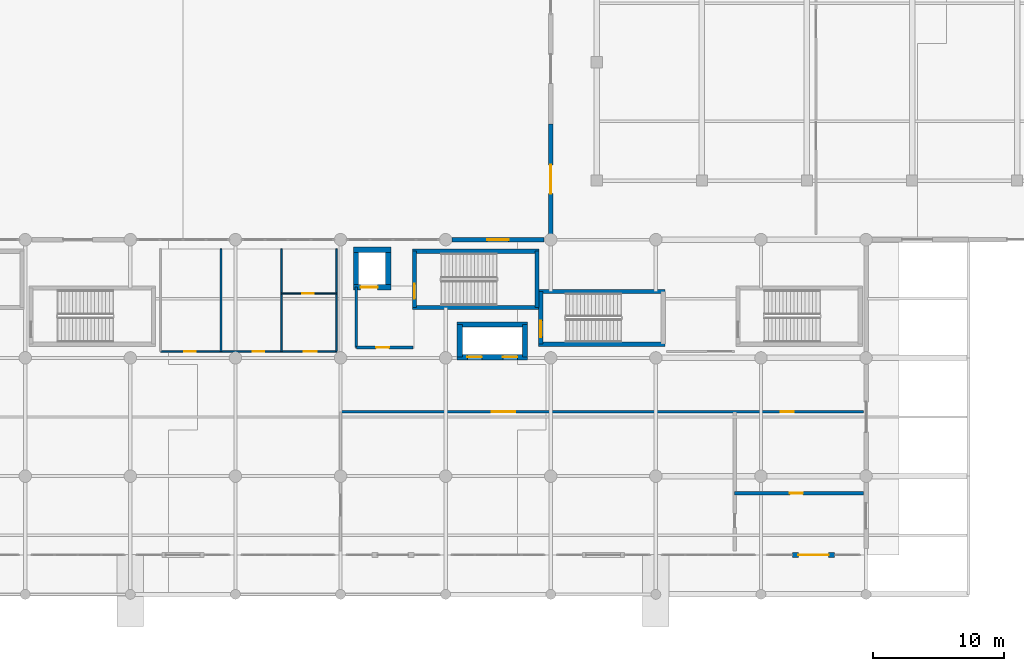
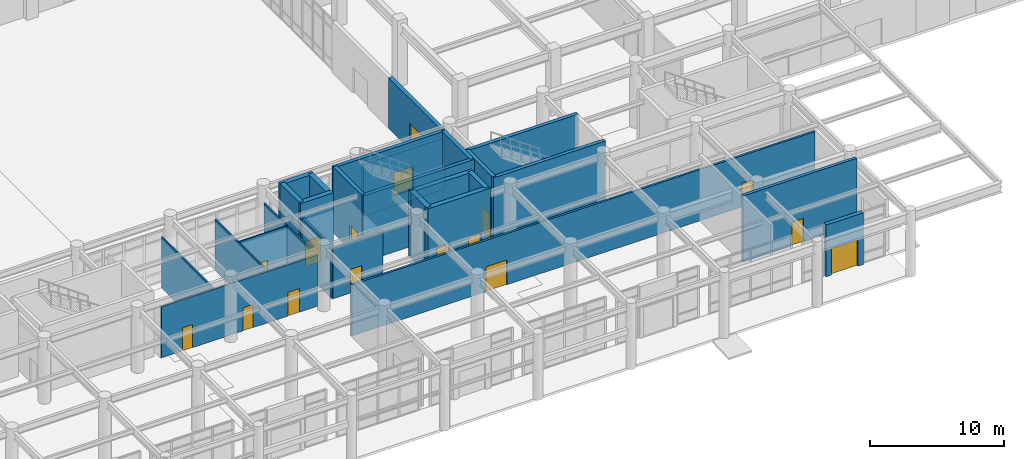
# One storey, part 31 of 49: 27 walls, 15 doors, 1 window, 16 openings.
"""IFC4 building model written with IfcOpenShell, lengths in metres."""

from ifc_helpers import new_model, si_unit, direction, frame, frame_2d, origin, place, context, subcontext, project, spatial, rectangle, extrude, material, layer, layer_set, type_object, element, fill, save


model = new_model("IFC4")

# Units and contexts
model_context = context("Model", 3, precision=1e-05, world=origin(), true_north=direction((0.0, 1.0)))
body_context = subcontext(model_context, "Body", "Model", "MODEL_VIEW")
ifc_project = project(units=[si_unit("LENGTHUNIT", "METRE"), si_unit("AREAUNIT", "SQUARE_METRE"), si_unit("VOLUMEUNIT", "CUBIC_METRE"), si_unit("PLANEANGLEUNIT", "RADIAN"), si_unit("MASSUNIT", "GRAM", prefix="KILO")], contexts=[model_context])

# Site, building, storey
site_placement = place(None, origin())
site = spatial("IfcSite", under=ifc_project, at=site_placement, CompositionType="ELEMENT")
building_placement = place(site_placement, origin())
building = spatial("IfcBuilding", under=site, at=building_placement, Name="Tlacozan Convention Centre", CompositionType="ELEMENT")
storey_placement = place(building_placement, origin())
storey = spatial("IfcBuildingStorey", under=building, at=storey_placement, Name="L00", CompositionType="ELEMENT", Elevation=0.0)

# Wall, opening, door
ifc_material_1 = material(Name="Volcanic Cantera Stone Masonry", Category="masonry")
ifc_layer_1 = layer(ifc_material_1, 0.35009765625)
ifc_layer_set_1 = layer_set([ifc_layer_1], Name="Volcanic Cantera Stone Masonry")
wall_type_1 = type_object("IfcWallType", Name="Cantera Cavity Facade Wall 350", PredefinedType="SOLIDWALL", material=ifc_layer_set_1)
wall_1_placement = place(storey_placement, frame((106.39990234375, 3.0, 0.0), z_axis=(0.0, 0.0, 1.0), x_axis=(1.0, 0.0, 0.0)))
wall_1 = element("IfcWall", 1, at=wall_1_placement, inside=storey, type_object=wall_type_1, Name="L00 Cantera Cavity Facade Wall 350 101", PredefinedType="SOLIDWALL", context=body_context, shape_type="SweptSolid", body=[
    extrude(rectangle(XDim=3.2001953125, YDim=0.35009765625, at=frame_2d((1.60009765625, 0.0))), origin(), (0.0, 0.0, 1.0), 4.699951171875),
])
opening_1_placement = place(wall_1_placement, frame((0.449951171875, 0.0, 0.0)))
opening_1 = element("IfcOpeningElement", 2, at=opening_1_placement, cuts=wall_1, Name="Opening EX-D1", PredefinedType="OPENING", context=body_context, shape_type="SweptSolid", body=[
    extrude(rectangle(XDim=2.300048828125, YDim=2.39990234375, at=frame_2d((1.14990234375, 1.199951171875))), frame((0.0, 0.18505859375, 0.0), z_axis=(0.0, -1.0, 0.0), x_axis=(1.0, 0.0, 0.0)), (0.0, 0.0, 1.0), 0.3701171875),
])
ifc_material_2 = material(Name="Thermally Broken Anodised Aluminium Door", Category="aluminium")
door_type_1 = type_object("IfcDoorType", Name="Pedestrian Final Exit Double Door 2300x2400", OperationType="DOUBLE_DOOR_SINGLE_SWING", PredefinedType="DOOR", material=ifc_material_2)
door_1_placement = place(opening_1_placement, frame((2.300048828125, 0.0, 0.0), z_axis=(0.0, 0.0, 1.0), x_axis=(-1.0, 0.0, 0.0)))
door_1 = element("IfcDoor", 3, at=door_1_placement, inside=storey, type_object=door_type_1, Name="Main Promenade Entrance E-13", OperationType="DOUBLE_DOOR_SINGLE_SWING", OverallHeight=2.39990234375, OverallWidth=2.300048828125, PredefinedType="DOOR", context=body_context, shape_type="SweptSolid", body=[
    extrude(rectangle(XDim=2.300048828125, YDim=2.39990234375, at=frame_2d((1.14990234375, 1.199951171875))), frame((0.0, 0.02490234375, 0.0), z_axis=(0.0, -1.0, 0.0), x_axis=(1.0, 0.0, 0.0)), (0.0, 0.0, 1.0), 0.050048828125),
])
fill(opening_1, door_1)

ifc_material_3 = material(Name="Concrete C40/50", Category="concrete")
ifc_layer_2 = layer(ifc_material_3, 0.260009765625)
ifc_layer_set_2 = layer_set([ifc_layer_2], Name="Concrete C40/50")
wall_type_2 = type_object("IfcWallType", Name="Compartment Rated Wall RC 260", PredefinedType="SOLIDWALL", material=ifc_layer_set_2)
wall_2_placement = place(storey_placement, frame((102.0, 7.699951171875, 0.0), z_axis=(0.0, 0.0, 1.0), x_axis=(1.0, 0.0, 0.0)))
wall_2 = element("IfcWall", 4, at=wall_2_placement, inside=storey, type_object=wall_type_2, Name="L00 Compartment Rated Wall RC 260 575", PredefinedType="SOLIDWALL", context=body_context, shape_type="SweptSolid", body=[
    extrude(rectangle(XDim=9.800048828125, YDim=0.260009765625, at=frame_2d((4.89990234375, 0.0))), origin(), (0.0, 0.0, 1.0), 6.0),
])
opening_2_placement = place(wall_2_placement, frame((4.199951171875, 0.0, 0.0)))
opening_2 = element("IfcOpeningElement", 5, at=opening_2_placement, cuts=wall_2, Name="Opening FD-01", PredefinedType="OPENING", context=body_context, shape_type="SweptSolid", body=[
    extrude(rectangle(XDim=1.0, YDim=2.14990234375, at=frame_2d((0.5, 1.074951171875))), frame((0.0, 0.139892578125, 0.0), z_axis=(0.0, -1.0, 0.0), x_axis=(1.0, 0.0, 0.0)), (0.0, 0.0, 1.0), 0.280029296875),
])
ifc_material_4 = material(Name="Fire-Rated Insulated Steel Door Leaf", Category="steel")
door_type_2 = type_object("IfcDoorType", Name="Fire Door Single 1000x2150 FD90", OperationType="NOTDEFINED", PredefinedType="DOOR", material=ifc_material_4)
door_2_placement = place(opening_2_placement, origin())
door_2 = element("IfcDoor", 6, at=door_2_placement, inside=storey, type_object=door_type_2, Name="Fire Command Room Secondary Door", OperationType="SINGLE_SWING_LEFT", OverallHeight=2.14990234375, OverallWidth=1.0, PredefinedType="DOOR", context=body_context, shape_type="SweptSolid", body=[
    extrude(rectangle(XDim=1.0, YDim=2.14990234375, at=frame_2d((0.5, 1.074951171875))), frame((0.0, 0.02490234375, 0.0), z_axis=(0.0, -1.0, 0.0), x_axis=(1.0, 0.0, 0.0)), (0.0, 0.0, 1.0), 0.050048828125),
])
fill(opening_2, door_2)

ifc_layer_3 = layer(ifc_material_3, 0.409912109375)
ifc_layer_set_3 = layer_set([ifc_layer_3], Name="Concrete C40/50")
wall_type_3 = type_object("IfcWallType", Name="Core Shear Wall RC 410", PredefinedType="SHEAR", material=ifc_layer_set_3)
wall_3_placement = place(storey_placement, frame((72.97509765625, 23.3798828125, 0.0), z_axis=(0.0, 0.0, 1.0), x_axis=(1.0, 0.0, 0.0)))
wall_3 = element("IfcWall", 7, at=wall_3_placement, inside=storey, type_object=wall_type_3, Name="L00 Core Shear Wall RC 410 105", PredefinedType="SHEAR", context=body_context, shape_type="SweptSolid", body=[
    extrude(rectangle(XDim=2.849853515625, YDim=0.409912109375, at=frame_2d((1.4248046875, 0.0))), origin(), (0.0, 0.0, 1.0), 6.0),
])
opening_3_placement = place(wall_3_placement, frame((0.550048828125, 0.0, 0.0)))
opening_3 = element("IfcOpeningElement", 8, at=opening_3_placement, cuts=wall_3, Name="Opening LD-02", PredefinedType="OPENING", context=body_context, shape_type="SweptSolid", body=[
    extrude(rectangle(XDim=1.300048828125, YDim=2.25, at=frame_2d((0.64990234375, 1.125))), frame((0.0, 0.21484375, 0.0), z_axis=(0.0, -1.0, 0.0), x_axis=(1.0, 0.0, 0.0)), (0.0, 0.0, 1.0), 0.429931640625),
])
ifc_material_5 = material(Name="Brushed Stainless Steel Sliding Landing Door", Category="steel")
door_type_3 = type_object("IfcDoorType", Name="Firefighting Lift Sliding Door 1300x2250", OperationType="DOUBLE_DOOR_SLIDING", PredefinedType="DOOR", material=ifc_material_5)
door_3_placement = place(opening_3_placement, origin())
door_3 = element("IfcDoor", 9, at=door_3_placement, inside=storey, type_object=door_type_3, Name="L00 Firefighting Lift FL-02 Landing Door", OperationType="DOUBLE_DOOR_SLIDING", OverallHeight=2.25, OverallWidth=1.300048828125, PredefinedType="DOOR", context=body_context, shape_type="SweptSolid", body=[
    extrude(rectangle(XDim=1.300048828125, YDim=2.25, at=frame_2d((0.64990234375, 1.125))), frame((0.0, 0.02490234375, 0.0), z_axis=(0.0, -1.0, 0.0), x_axis=(1.0, 0.0, 0.0)), (0.0, 0.0, 1.0), 0.050048828125),
])
fill(opening_3, door_3)

# Walls
wall_4_placement = place(storey_placement, frame((72.97509765625, 26.219970703125, 0.0), z_axis=(0.0, 0.0, 1.0), x_axis=(1.0, 0.0, 0.0)))
element("IfcWall", 10, at=wall_4_placement, inside=storey, type_object=wall_type_3, Name="L00 Core Shear Wall RC 410 106", PredefinedType="SHEAR", context=body_context, shape_type="SweptSolid", body=[
    extrude(rectangle(XDim=2.849853515625, YDim=0.409912109375, at=frame_2d((1.4248046875, 0.0))), origin(), (0.0, 0.0, 1.0), 6.0),
])
for number, where, z_axis, x_axis, name in (
    (11, (73.179931640625, 23.3798828125, 0.0), (0.0, 0.0, 1.0), (0.0, 1.0, 0.0), "L00 Core Shear Wall RC 410 107"),
    (12, (75.6201171875, 23.3798828125, 0.0), (0.0, 0.0, 1.0), (0.0, 1.0, 0.0), "L00 Core Shear Wall RC 410 108"),
):
    element("IfcWall", number, at=place(storey_placement, frame(where, z_axis=z_axis, x_axis=x_axis)), inside=storey, type_object=wall_type_3, Name=name, PredefinedType="SHEAR", context=body_context, shape_type="SweptSolid", body=[
        extrude(rectangle(XDim=2.840087890625, YDim=0.409912109375, at=frame_2d((1.419921875, 0.0))), origin(), (0.0, 0.0, 1.0), 6.0),
    ])

# Wall, openings, doors
wall_5_placement = place(storey_placement, frame((80.85498046875, 18.06005859375, 0.0), z_axis=(0.0, 0.0, 1.0), x_axis=(1.0, 0.0, 0.0)))
wall_5 = element("IfcWall", 13, at=wall_5_placement, inside=storey, type_object=wall_type_3, Name="L00 Core Shear Wall RC 410 109", PredefinedType="SHEAR", context=body_context, shape_type="SweptSolid", body=[
    extrude(rectangle(XDim=5.39013671875, YDim=0.409912109375, at=frame_2d((2.695068359375, 0.0))), origin(), (0.0, 0.0, 1.0), 6.0),
])
opening_4_placement = place(wall_5_placement, frame((0.794921875, 0.0, 0.0)))
opening_4 = element("IfcOpeningElement", 14, at=opening_4_placement, cuts=wall_5, Name="Opening LD-01", PredefinedType="OPENING", context=body_context, shape_type="SweptSolid", body=[
    extrude(rectangle(XDim=1.10009765625, YDim=2.199951171875, at=frame_2d((0.550048828125, 1.10009765625))), frame((0.0, 0.21484375, 0.0), z_axis=(0.0, -1.0, 0.0), x_axis=(1.0, 0.0, 0.0)), (0.0, 0.0, 1.0), 0.429931640625),
])
opening_5_placement = place(wall_5_placement, frame((3.4951171875, 0.0, 0.0)))
opening_5 = element("IfcOpeningElement", 15, at=opening_5_placement, cuts=wall_5, Name="Opening LD-01", PredefinedType="OPENING", context=body_context, shape_type="SweptSolid", body=[
    extrude(rectangle(XDim=1.10009765625, YDim=2.199951171875, at=frame_2d((0.550048828125, 1.10009765625))), frame((0.0, 0.21484375, 0.0), z_axis=(0.0, -1.0, 0.0), x_axis=(1.0, 0.0, 0.0)), (0.0, 0.0, 1.0), 0.429931640625),
])
door_type_4 = type_object("IfcDoorType", Name="Lift Sliding Landing Door 1100x2200", OperationType="DOUBLE_DOOR_SLIDING", PredefinedType="DOOR", material=ifc_material_5)
door_4_placement = place(opening_4_placement, origin())
door_4 = element("IfcDoor", 16, at=door_4_placement, inside=storey, type_object=door_type_4, Name="L00 Lift PL-03 Landing Door", OperationType="DOUBLE_DOOR_SLIDING", OverallHeight=2.199951171875, OverallWidth=1.10009765625, PredefinedType="DOOR", context=body_context, shape_type="SweptSolid", body=[
    extrude(rectangle(XDim=1.10009765625, YDim=2.199951171875, at=frame_2d((0.550048828125, 1.10009765625))), frame((0.0, 0.02490234375, 0.0), z_axis=(0.0, -1.0, 0.0), x_axis=(1.0, 0.0, 0.0)), (0.0, 0.0, 1.0), 0.050048828125),
])
fill(opening_4, door_4)
door_5_placement = place(opening_5_placement, origin())
door_5 = element("IfcDoor", 17, at=door_5_placement, inside=storey, type_object=door_type_4, Name="L00 Lift PL-04 Landing Door", OperationType="DOUBLE_DOOR_SLIDING", OverallHeight=2.199951171875, OverallWidth=1.10009765625, PredefinedType="DOOR", context=body_context, shape_type="SweptSolid", body=[
    extrude(rectangle(XDim=1.10009765625, YDim=2.199951171875, at=frame_2d((0.550048828125, 1.10009765625))), frame((0.0, 0.02490234375, 0.0), z_axis=(0.0, -1.0, 0.0), x_axis=(1.0, 0.0, 0.0)), (0.0, 0.0, 1.0), 0.050048828125),
])
fill(opening_5, door_5)

# Walls
wall_6_placement = place(storey_placement, frame((80.85498046875, 20.5400390625, 0.0), z_axis=(0.0, 0.0, 1.0), x_axis=(1.0, 0.0, 0.0)))
element("IfcWall", 18, at=wall_6_placement, inside=storey, type_object=wall_type_3, Name="L00 Core Shear Wall RC 410 110", PredefinedType="SHEAR", context=body_context, shape_type="SweptSolid", body=[
    extrude(rectangle(XDim=5.39013671875, YDim=0.409912109375, at=frame_2d((2.695068359375, 0.0))), origin(), (0.0, 0.0, 1.0), 6.0),
])
for number, where, z_axis, x_axis, name in (
    (19, (81.06005859375, 18.06005859375, 0.0), (0.0, 0.0, 1.0), (0.0, 1.0, 0.0), "L00 Core Shear Wall RC 410 111"),
    (20, (86.0400390625, 18.06005859375, 0.0), (0.0, 0.0, 1.0), (0.0, 1.0, 0.0), "L00 Core Shear Wall RC 410 112"),
):
    element("IfcWall", number, at=place(storey_placement, frame(where, z_axis=z_axis, x_axis=x_axis)), inside=storey, type_object=wall_type_3, Name=name, PredefinedType="SHEAR", context=body_context, shape_type="SweptSolid", body=[
        extrude(rectangle(XDim=2.47998046875, YDim=0.409912109375, at=frame_2d((1.239990234375, 0.0))), origin(), (0.0, 0.0, 1.0), 6.0),
    ])

# Wall, openings, doors
ifc_material_6 = material(Name="Fire-Rated Gypsum Stud Partition Assembly")
ifc_layer_4 = layer(ifc_material_6, 0.179931640625)
ifc_layer_set_4 = layer_set([ifc_layer_4], Name="Fire-Rated Gypsum Stud Partition Assembly")
wall_type_4 = type_object("IfcWallType", Name="Corridor Rated Partition 180", PredefinedType="PARTITIONING", material=ifc_layer_set_4)
wall_7_placement = place(storey_placement, frame((72.0, 13.89990234375, 0.0), z_axis=(0.0, 0.0, 1.0), x_axis=(1.0, 0.0, 0.0)))
wall_7 = element("IfcWall", 21, at=wall_7_placement, inside=storey, type_object=wall_type_4, Name="L00 Corridor Rated Partition 180 573", PredefinedType="PARTITIONING", context=body_context, shape_type="SweptSolid", body=[
    extrude(rectangle(XDim=39.800048828125, YDim=0.179931640625, at=frame_2d((19.89990234375, 0.0))), origin(), (0.0, 0.0, 1.0), 4.64990234375),
])
opening_6_placement = place(wall_7_placement, frame((11.5, 0.0, 0.0)))
opening_6 = element("IfcOpeningElement", 22, at=opening_6_placement, cuts=wall_7, Name="Opening FD-03", PredefinedType="OPENING", context=body_context, shape_type="SweptSolid", body=[
    extrude(rectangle(XDim=1.800048828125, YDim=2.25, at=frame_2d((0.89990234375, 1.125))), frame((0.0, 0.099853515625, 0.0), z_axis=(0.0, -1.0, 0.0), x_axis=(1.0, 0.0, 0.0)), (0.0, 0.0, 1.0), 0.199951171875),
])
opening_7_placement = place(wall_7_placement, frame((33.5, 0.0, 0.0)))
opening_7 = element("IfcOpeningElement", 23, at=opening_7_placement, cuts=wall_7, Name="Opening FD-01", PredefinedType="OPENING", context=body_context, shape_type="SweptSolid", body=[
    extrude(rectangle(XDim=1.0, YDim=2.14990234375, at=frame_2d((0.5, 1.074951171875))), frame((0.0, 0.099853515625, 0.0), z_axis=(0.0, -1.0, 0.0), x_axis=(1.0, 0.0, 0.0)), (0.0, 0.0, 1.0), 0.199951171875),
])
door_type_5 = type_object("IfcDoorType", Name="Fire Door Lobby Double 1800x2250 FD90", OperationType="DOUBLE_DOOR_SINGLE_SWING", PredefinedType="DOOR", material=ifc_material_4)
door_6_placement = place(opening_6_placement, origin())
door_6 = element("IfcDoor", 24, at=door_6_placement, inside=storey, type_object=door_type_5, Name="L00 Fire Door Lobby Double 1800x2250 FD90 159", OperationType="DOUBLE_DOOR_SINGLE_SWING", OverallHeight=2.25, OverallWidth=1.800048828125, PredefinedType="DOOR", context=body_context, shape_type="SweptSolid", body=[
    extrude(rectangle(XDim=1.800048828125, YDim=2.25, at=frame_2d((0.89990234375, 1.125))), frame((0.0, 0.02490234375, 0.0), z_axis=(0.0, -1.0, 0.0), x_axis=(1.0, 0.0, 0.0)), (0.0, 0.0, 1.0), 0.050048828125),
])
fill(opening_6, door_6)
door_7_placement = place(opening_7_placement, origin())
door_7 = element("IfcDoor", 25, at=door_7_placement, inside=storey, type_object=door_type_2, Name="L00 Fire Door Single 1000x2150 FD90 160", OperationType="SINGLE_SWING_LEFT", OverallHeight=2.14990234375, OverallWidth=1.0, PredefinedType="DOOR", context=body_context, shape_type="SweptSolid", body=[
    extrude(rectangle(XDim=1.0, YDim=2.14990234375, at=frame_2d((0.5, 1.074951171875))), frame((0.0, 0.02490234375, 0.0), z_axis=(0.0, -1.0, 0.0), x_axis=(1.0, 0.0, 0.0)), (0.0, 0.0, 1.0), 0.050048828125),
])
fill(opening_7, door_7)

# Wall, opening, window
ifc_layer_5 = layer(ifc_material_1, 0.330078125)
ifc_layer_set_5 = layer_set([ifc_layer_5], Name="Volcanic Cantera Stone Masonry")
wall_type_5 = type_object("IfcWallType", Name="Courtyard Cantera Cloister Wall 330", PredefinedType="SOLIDWALL", material=ifc_layer_set_5)
wall_8_placement = place(storey_placement, frame((80.5, 27.0, 0.0), z_axis=(0.0, 0.0, 1.0), x_axis=(1.0, 0.0, 0.0)))
wall_8 = element("IfcWall", 26, at=wall_8_placement, inside=storey, type_object=wall_type_5, Name="L00 Courtyard Cantera Cloister Wall 330 109", PredefinedType="SOLIDWALL", context=body_context, shape_type="SweptSolid", body=[
    extrude(rectangle(XDim=7.0, YDim=0.330078125, at=frame_2d((3.5, 0.0))), origin(), (0.0, 0.0, 1.0), 4.699951171875),
])
opening_8_placement = place(wall_8_placement, frame((2.64990234375, 0.0, 0.949951171875)))
opening_8 = element("IfcOpeningElement", 27, at=opening_8_placement, cuts=wall_8, Name="Opening WN-10", PredefinedType="OPENING", context=body_context, shape_type="SweptSolid", body=[
    extrude(rectangle(XDim=1.64990234375, YDim=2.10009765625, at=frame_2d((0.824951171875, 1.050048828125))), frame((0.0, 0.175048828125, 0.0), z_axis=(0.0, -1.0, 0.0), x_axis=(1.0, 0.0, 0.0)), (0.0, 0.0, 1.0), 0.35009765625),
])
ifc_material_7 = material(Name="Solar Control Double Low-E Argon Glazing", Category="glass")
window_type = type_object("IfcWindowType", Name="Courtyard Cloister Window 1650x2100", PartitioningType="SINGLE_PANEL", PredefinedType="WINDOW", material=ifc_material_7)
window_placement = place(opening_8_placement, origin())
window = element("IfcWindow", 28, at=window_placement, inside=storey, type_object=window_type, Name="L00 Courtyard Cloister Window 1650x2100 48", OverallHeight=2.10009765625, OverallWidth=1.64990234375, PartitioningType="SINGLE_PANEL", PredefinedType="WINDOW", context=body_context, shape_type="SweptSolid", body=[
    extrude(rectangle(XDim=1.64990234375, YDim=2.10009765625, at=frame_2d((0.824951171875, 1.050048828125))), frame((0.0, 0.030029296875, 0.0), z_axis=(0.0, -1.0, 0.0), x_axis=(1.0, 0.0, 0.0)), (0.0, 0.0, 1.0), 0.06005859375),
])
fill(opening_8, window)

# Wall, opening, door
wall_9_placement = place(storey_placement, frame((88.0, 27.39990234375, 0.0), z_axis=(0.0, 0.0, 1.0), x_axis=(0.0, 1.0, 0.0)))
wall_9 = element("IfcWall", 29, at=wall_9_placement, inside=storey, type_object=wall_type_5, Name="L00 Courtyard Cantera Cloister Wall 330 186", PredefinedType="SOLIDWALL", context=body_context, shape_type="SweptSolid", body=[
    extrude(rectangle(XDim=8.400146484375, YDim=0.330078125, at=frame_2d((4.2001953125, 0.0))), origin(), (0.0, 0.0, 1.0), 4.60009765625),
])
opening_9_placement = place(wall_9_placement, frame((3.10009765625, 0.0, 0.0)))
opening_9 = element("IfcOpeningElement", 30, at=opening_9_placement, cuts=wall_9, Name="Opening EX-D4", PredefinedType="OPENING", context=body_context, shape_type="SweptSolid", body=[
    extrude(rectangle(XDim=2.199951171875, YDim=2.35009765625, at=frame_2d((1.10009765625, 1.175048828125))), frame((0.0, 0.175048828125, 0.0), z_axis=(0.0, -1.0, 0.0), x_axis=(1.0, 0.0, 0.0)), (0.0, 0.0, 1.0), 0.35009765625),
])
door_type_6 = type_object("IfcDoorType", Name="Courtyard Cloister Exit Door 2200x2350", OperationType="DOUBLE_DOOR_SINGLE_SWING", PredefinedType="DOOR", material=ifc_material_2)
door_8_placement = place(opening_9_placement, origin())
door_8 = element("IfcDoor", 31, at=door_8_placement, inside=storey, type_object=door_type_6, Name="Final Pedestrian Exit EX-32", OperationType="DOUBLE_DOOR_SINGLE_SWING", OverallHeight=2.35009765625, OverallWidth=2.199951171875, PredefinedType="DOOR", context=body_context, shape_type="SweptSolid", body=[
    extrude(rectangle(XDim=2.199951171875, YDim=2.35009765625, at=frame_2d((1.10009765625, 1.175048828125))), frame((0.0, 0.02490234375, 0.0), z_axis=(0.0, -1.0, 0.0), x_axis=(1.0, 0.0, 0.0)), (0.0, 0.0, 1.0), 0.050048828125),
])
fill(opening_9, door_8)

ifc_layer_6 = layer(ifc_material_6, 0.2099609375)
ifc_layer_set_6 = layer_set([ifc_layer_6], Name="Fire-Rated Gypsum Stud Partition Assembly")
wall_type_6 = type_object("IfcWallType", Name="Firefighting Lobby Rated Wall 210", PredefinedType="PARTITIONING", material=ifc_layer_set_6)
wall_10_placement = place(storey_placement, frame((73.199951171875, 18.800048828125, 0.0), z_axis=(0.0, 0.0, 1.0), x_axis=(1.0, 0.0, 0.0)))
wall_10 = element("IfcWall", 32, at=wall_10_placement, inside=storey, type_object=wall_type_6, Name="L00 Firefighting Lobby Rated Wall 210 103", PredefinedType="PARTITIONING", context=body_context, shape_type="SweptSolid", body=[
    extrude(rectangle(XDim=4.300048828125, YDim=0.2099609375, at=frame_2d((2.14990234375, 0.0))), origin(), (0.0, 0.0, 1.0), 4.64990234375),
])
opening_10_placement = place(wall_10_placement, frame((1.5, 0.0, 0.0)))
opening_10 = element("IfcOpeningElement", 33, at=opening_10_placement, cuts=wall_10, Name="Opening FD-01", PredefinedType="OPENING", context=body_context, shape_type="SweptSolid", body=[
    extrude(rectangle(XDim=1.0, YDim=2.14990234375, at=frame_2d((0.5, 1.074951171875))), frame((0.0, 0.114990234375, 0.0), z_axis=(0.0, -1.0, 0.0), x_axis=(1.0, 0.0, 0.0)), (0.0, 0.0, 1.0), 0.22998046875),
])
door_9_placement = place(opening_10_placement, origin())
door_9 = element("IfcDoor", 34, at=door_9_placement, inside=storey, type_object=door_type_2, Name="L00 CORE-2 Firefighting Lobby Entry Door", OperationType="SINGLE_SWING_RIGHT", OverallHeight=2.14990234375, OverallWidth=1.0, PredefinedType="DOOR", context=body_context, shape_type="SweptSolid", body=[
    extrude(rectangle(XDim=1.0, YDim=2.14990234375, at=frame_2d((0.5, 1.074951171875))), frame((0.0, 0.02490234375, 0.0), z_axis=(0.0, -1.0, 0.0), x_axis=(1.0, 0.0, 0.0)), (0.0, 0.0, 1.0), 0.050048828125),
])
fill(opening_10, door_9)

# Wall
wall_11_placement = place(storey_placement, frame((73.199951171875, 18.800048828125, 0.0), z_axis=(0.0, 0.0, 1.0), x_axis=(0.0, 1.0, 0.0)))
element("IfcWall", 35, at=wall_11_placement, inside=storey, type_object=wall_type_6, Name="L00 Firefighting Lobby Rated Wall 210 104", PredefinedType="PARTITIONING", context=body_context, shape_type="SweptSolid", body=[
    extrude(rectangle(XDim=4.599853515625, YDim=0.2099609375, at=frame_2d((2.2998046875, 0.0))), origin(), (0.0, 0.0, 1.0), 4.64990234375),
])

# Wall, openings, doors
ifc_material_8 = material(Name="Acoustic Double-Stud Partition Assembly")
ifc_layer_7 = layer(ifc_material_8, 0.1201171875)
ifc_layer_set_7 = layer_set([ifc_layer_7], Name="Acoustic Double-Stud Partition Assembly")
wall_type_7 = type_object("IfcWallType", Name="Sanitary Tile Partition 120", PredefinedType="PARTITIONING", material=ifc_layer_set_7)
wall_12_placement = place(storey_placement, frame((58.300048828125, 18.5, 0.0), z_axis=(0.0, 0.0, 1.0), x_axis=(1.0, 0.0, 0.0)))
wall_12 = element("IfcWall", 36, at=wall_12_placement, inside=storey, type_object=wall_type_7, Name="L00 Sanitary Tile Partition 120 531", PredefinedType="PARTITIONING", context=body_context, shape_type="SweptSolid", body=[
    extrude(rectangle(XDim=13.39990234375, YDim=0.1201171875, at=frame_2d((6.699951171875, 0.0))), origin(), (0.0, 0.0, 1.0), 4.64990234375),
])
opening_11_placement = place(wall_12_placement, frame((1.800048828125, 0.0, 0.0)))
opening_11 = element("IfcOpeningElement", 37, at=opening_11_placement, cuts=wall_12, Name="Opening ID-05", PredefinedType="OPENING", context=body_context, shape_type="SweptSolid", body=[
    extrude(rectangle(XDim=0.8798828125, YDim=2.10009765625, at=frame_2d((0.43994140625, 1.050048828125))), frame((0.0, 0.070068359375, 0.0), z_axis=(0.0, -1.0, 0.0), x_axis=(1.0, 0.0, 0.0)), (0.0, 0.0, 1.0), 0.14013671875),
])
opening_12_placement = place(wall_12_placement, frame((7.0, 0.0, 0.0)))
opening_12 = element("IfcOpeningElement", 38, at=opening_12_placement, cuts=wall_12, Name="Opening ID-05", PredefinedType="OPENING", context=body_context, shape_type="SweptSolid", body=[
    extrude(rectangle(XDim=0.8798828125, YDim=2.10009765625, at=frame_2d((0.43994140625, 1.050048828125))), frame((0.0, 0.070068359375, 0.0), z_axis=(0.0, -1.0, 0.0), x_axis=(1.0, 0.0, 0.0)), (0.0, 0.0, 1.0), 0.14013671875),
])
opening_13_placement = place(wall_12_placement, frame((10.89990234375, 0.0, 0.0)))
opening_13 = element("IfcOpeningElement", 39, at=opening_13_placement, cuts=wall_12, Name="Opening ID-04", PredefinedType="OPENING", context=body_context, shape_type="SweptSolid", body=[
    extrude(rectangle(XDim=0.97998046875, YDim=2.14990234375, at=frame_2d((0.489990234375, 1.074951171875))), frame((0.0, 0.070068359375, 0.0), z_axis=(0.0, -1.0, 0.0), x_axis=(1.0, 0.0, 0.0)), (0.0, 0.0, 1.0), 0.14013671875),
])
ifc_material_9 = material(Name="Acoustic Solid-Core Oak Veneer Door")
door_type_7 = type_object("IfcDoorType", Name="Accessible Restroom Door 980x2150", OperationType="NOTDEFINED", PredefinedType="DOOR", material=ifc_material_9)
door_10_placement = place(opening_13_placement, origin())
door_10 = element("IfcDoor", 40, at=door_10_placement, inside=storey, type_object=door_type_7, Name="L00 Accessible Restroom Door", OperationType="SINGLE_SWING_LEFT", OverallHeight=2.14990234375, OverallWidth=0.97998046875, PredefinedType="DOOR", context=body_context, shape_type="SweptSolid", body=[
    extrude(rectangle(XDim=0.97998046875, YDim=2.14990234375, at=frame_2d((0.489990234375, 1.074951171875))), frame((0.0, 0.02490234375, 0.0), z_axis=(0.0, -1.0, 0.0), x_axis=(1.0, 0.0, 0.0)), (0.0, 0.0, 1.0), 0.050048828125),
])
fill(opening_13, door_10)
door_type_8 = type_object("IfcDoorType", Name="Restroom Single Door 880x2100", OperationType="NOTDEFINED", PredefinedType="DOOR", material=ifc_material_9)
door_11_placement = place(opening_11_placement, origin())
door_11 = element("IfcDoor", 41, at=door_11_placement, inside=storey, type_object=door_type_8, Name="L00 Male Restroom Door", OperationType="SINGLE_SWING_LEFT", OverallHeight=2.10009765625, OverallWidth=0.8798828125, PredefinedType="DOOR", context=body_context, shape_type="SweptSolid", body=[
    extrude(rectangle(XDim=0.8798828125, YDim=2.10009765625, at=frame_2d((0.43994140625, 1.050048828125))), frame((0.0, 0.02490234375, 0.0), z_axis=(0.0, -1.0, 0.0), x_axis=(1.0, 0.0, 0.0)), (0.0, 0.0, 1.0), 0.050048828125),
])
fill(opening_11, door_11)
door_12_placement = place(opening_12_placement, origin())
door_12 = element("IfcDoor", 42, at=door_12_placement, inside=storey, type_object=door_type_8, Name="L00 Female Restroom Door", OperationType="SINGLE_SWING_RIGHT", OverallHeight=2.10009765625, OverallWidth=0.8798828125, PredefinedType="DOOR", context=body_context, shape_type="SweptSolid", body=[
    extrude(rectangle(XDim=0.8798828125, YDim=2.10009765625, at=frame_2d((0.43994140625, 1.050048828125))), frame((0.0, 0.02490234375, 0.0), z_axis=(0.0, -1.0, 0.0), x_axis=(1.0, 0.0, 0.0)), (0.0, 0.0, 1.0), 0.050048828125),
])
fill(opening_12, door_12)

# Walls
for number, where, z_axis, x_axis, name in (
    (43, (62.89990234375, 18.5, 0.0), (0.0, 0.0, 1.0), (0.0, 1.0, 0.0), "L00 Sanitary Tile Partition 120 533"),
    (44, (67.5, 18.5, 0.0), (0.0, 0.0, 1.0), (0.0, 1.0, 0.0), "L00 Sanitary Tile Partition 120 534"),
    (45, (71.699951171875, 18.5, 0.0), (0.0, 0.0, 1.0), (0.0, 1.0, 0.0), "L00 Sanitary Tile Partition 120 535"),
):
    element("IfcWall", number, at=place(storey_placement, frame(where, z_axis=z_axis, x_axis=x_axis)), inside=storey, type_object=wall_type_7, Name=name, PredefinedType="PARTITIONING", context=body_context, shape_type="SweptSolid", body=[
        extrude(rectangle(XDim=7.800048828125, YDim=0.1201171875, at=frame_2d((3.89990234375, 0.0))), origin(), (0.0, 0.0, 1.0), 4.64990234375),
    ])

# Wall, opening, door
ifc_layer_8 = layer(ifc_material_6, 0.10009765625)
ifc_layer_set_8 = layer_set([ifc_layer_8], Name="Fire-Rated Gypsum Stud Partition Assembly")
wall_type_8 = type_object("IfcWallType", Name="Service Duct Partition 100", PredefinedType="PARTITIONING", material=ifc_layer_set_8)
wall_13_placement = place(storey_placement, frame((67.5, 22.89990234375, 0.0), z_axis=(0.0, 0.0, 1.0), x_axis=(1.0, 0.0, 0.0)))
wall_13 = element("IfcWall", 46, at=wall_13_placement, inside=storey, type_object=wall_type_8, Name="L00 Service Duct Partition 100 536", PredefinedType="PARTITIONING", context=body_context, shape_type="SweptSolid", body=[
    extrude(rectangle(XDim=4.199951171875, YDim=0.10009765625, at=frame_2d((2.10009765625, 0.0))), origin(), (0.0, 0.0, 1.0), 4.64990234375),
])
opening_14_placement = place(wall_13_placement, frame((1.60009765625, 0.0, 0.0)))
opening_14 = element("IfcOpeningElement", 47, at=opening_14_placement, cuts=wall_13, Name="Opening ID-06", PredefinedType="OPENING", context=body_context, shape_type="SweptSolid", body=[
    extrude(rectangle(XDim=0.85009765625, YDim=2.10009765625, at=frame_2d((0.425048828125, 1.050048828125))), frame((0.0, 0.06005859375, 0.0), z_axis=(0.0, -1.0, 0.0), x_axis=(1.0, 0.0, 0.0)), (0.0, 0.0, 1.0), 0.1201171875),
])
door_type_9 = type_object("IfcDoorType", Name="Service Closet Door 850x2100", OperationType="NOTDEFINED", PredefinedType="DOOR", material=ifc_material_9)
door_13_placement = place(opening_14_placement, origin())
door_13 = element("IfcDoor", 48, at=door_13_placement, inside=storey, type_object=door_type_9, Name="L00 Housekeeping Closet Door", OperationType="SINGLE_SWING_RIGHT", OverallHeight=2.10009765625, OverallWidth=0.85009765625, PredefinedType="DOOR", context=body_context, shape_type="SweptSolid", body=[
    extrude(rectangle(XDim=0.85009765625, YDim=2.10009765625, at=frame_2d((0.425048828125, 1.050048828125))), frame((0.0, 0.02490234375, 0.0), z_axis=(0.0, -1.0, 0.0), x_axis=(1.0, 0.0, 0.0)), (0.0, 0.0, 1.0), 0.050048828125),
])
fill(opening_14, door_13)

# Walls
ifc_layer_9 = layer(ifc_material_3, 0.31005859375)
ifc_layer_set_9 = layer_set([ifc_layer_9], Name="Concrete C40/50")
wall_type_9 = type_object("IfcWallType", Name="Stair Shaft Shear Wall RC 310", PredefinedType="SHEAR", material=ifc_layer_set_9)
for number, where, z_axis, x_axis, name in (
    (49, (77.485107421875, 21.840087890625, 0.0), (0.0, 0.0, 1.0), (1.0, 0.0, 0.0), "L00 Stair Shaft Shear Wall RC 310 99"),
    (50, (77.485107421875, 26.1201171875, 0.0), (0.0, 0.0, 1.0), (1.0, 0.0, 0.0), "L00 Stair Shaft Shear Wall RC 310 100"),
):
    element("IfcWall", number, at=place(storey_placement, frame(where, z_axis=z_axis, x_axis=x_axis)), inside=storey, type_object=wall_type_9, Name=name, PredefinedType="SHEAR", context=body_context, shape_type="SweptSolid", body=[
        extrude(rectangle(XDim=9.6298828125, YDim=0.31005859375, at=frame_2d((4.81494140625, 0.0))), origin(), (0.0, 0.0, 1.0), 6.0),
    ])

# Wall, opening, door
wall_14_placement = place(storey_placement, frame((77.639892578125, 21.840087890625, 0.0), z_axis=(0.0, 0.0, 1.0), x_axis=(0.0, 1.0, 0.0)))
wall_14 = element("IfcWall", 51, at=wall_14_placement, inside=storey, type_object=wall_type_9, Name="L00 Stair Shaft Shear Wall RC 310 101", PredefinedType="SHEAR", context=body_context, shape_type="SweptSolid", body=[
    extrude(rectangle(XDim=4.280029296875, YDim=0.31005859375, at=frame_2d((2.14013671875, 0.0))), origin(), (0.0, 0.0, 1.0), 6.0),
])
opening_15_placement = place(wall_14_placement, frame((0.64990234375, 0.0, 0.0)))
opening_15 = element("IfcOpeningElement", 52, at=opening_15_placement, cuts=wall_14, Name="Opening FD-02", PredefinedType="OPENING", context=body_context, shape_type="SweptSolid", body=[
    extrude(rectangle(XDim=1.14990234375, YDim=2.199951171875, at=frame_2d((0.574951171875, 1.10009765625))), frame((0.0, 0.1650390625, 0.0), z_axis=(0.0, -1.0, 0.0), x_axis=(1.0, 0.0, 0.0)), (0.0, 0.0, 1.0), 0.330078125),
])
door_type_10 = type_object("IfcDoorType", Name="Fire Door Stair 1150x2200 FD90", OperationType="NOTDEFINED", PredefinedType="DOOR", material=ifc_material_4)
door_14_placement = place(opening_15_placement, origin())
door_14 = element("IfcDoor", 53, at=door_14_placement, inside=storey, type_object=door_type_10, Name="L00 Stair ST-02 Fire Door", OperationType="SINGLE_SWING_LEFT", OverallHeight=2.199951171875, OverallWidth=1.14990234375, PredefinedType="DOOR", context=body_context, shape_type="SweptSolid", body=[
    extrude(rectangle(XDim=1.14990234375, YDim=2.199951171875, at=frame_2d((0.574951171875, 1.10009765625))), frame((0.0, 0.02490234375, 0.0), z_axis=(0.0, -1.0, 0.0), x_axis=(1.0, 0.0, 0.0)), (0.0, 0.0, 1.0), 0.050048828125),
])
fill(opening_15, door_14)

# Walls
wall_15_placement = place(storey_placement, frame((86.9599609375, 21.840087890625, 0.0), z_axis=(0.0, 0.0, 1.0), x_axis=(0.0, 1.0, 0.0)))
element("IfcWall", 54, at=wall_15_placement, inside=storey, type_object=wall_type_9, Name="L00 Stair Shaft Shear Wall RC 310 102", PredefinedType="SHEAR", context=body_context, shape_type="SweptSolid", body=[
    extrude(rectangle(XDim=4.280029296875, YDim=0.31005859375, at=frame_2d((2.14013671875, 0.0))), origin(), (0.0, 0.0, 1.0), 6.0),
])
for number, where, z_axis, x_axis, name in (
    (55, (87.0849609375, 19.0400390625, 0.0), (0.0, 0.0, 1.0), (1.0, 0.0, 0.0), "L00 Stair Shaft Shear Wall RC 310 337"),
    (56, (87.0849609375, 23.06005859375, 0.0), (0.0, 0.0, 1.0), (1.0, 0.0, 0.0), "L00 Stair Shaft Shear Wall RC 310 338"),
):
    element("IfcWall", number, at=place(storey_placement, frame(where, z_axis=z_axis, x_axis=x_axis)), inside=storey, type_object=wall_type_9, Name=name, PredefinedType="SHEAR", context=body_context, shape_type="SweptSolid", body=[
        extrude(rectangle(XDim=9.630126953125, YDim=0.31005859375, at=frame_2d((4.81494140625, 0.0))), origin(), (0.0, 0.0, 1.0), 6.0),
    ])

# Wall, opening, door
wall_16_placement = place(storey_placement, frame((87.239990234375, 19.0400390625, 0.0), z_axis=(0.0, 0.0, 1.0), x_axis=(0.0, 1.0, 0.0)))
wall_16 = element("IfcWall", 57, at=wall_16_placement, inside=storey, type_object=wall_type_9, Name="L00 Stair Shaft Shear Wall RC 310 339", PredefinedType="SHEAR", context=body_context, shape_type="SweptSolid", body=[
    extrude(rectangle(XDim=4.02001953125, YDim=0.31005859375, at=frame_2d((2.010009765625, 0.0))), origin(), (0.0, 0.0, 1.0), 6.0),
])
opening_16_placement = place(wall_16_placement, frame((0.550048828125, 0.0, 0.0)))
opening_16 = element("IfcOpeningElement", 58, at=opening_16_placement, cuts=wall_16, Name="Opening FD-05", PredefinedType="OPENING", context=body_context, shape_type="SweptSolid", body=[
    extrude(rectangle(XDim=1.25, YDim=2.199951171875, at=frame_2d((0.625, 1.10009765625))), frame((0.0, 0.1650390625, 0.0), z_axis=(0.0, -1.0, 0.0), x_axis=(1.0, 0.0, 0.0)), (0.0, 0.0, 1.0), 0.330078125),
])
door_type_11 = type_object("IfcDoorType", Name="Fire Door Wide Stair 1250x2200 FD90", OperationType="NOTDEFINED", PredefinedType="DOOR", material=ifc_material_4)
door_15_placement = place(opening_16_placement, origin())
door_15 = element("IfcDoor", 59, at=door_15_placement, inside=storey, type_object=door_type_11, Name="L00 Stair ST-15 Access Door", OperationType="SINGLE_SWING_LEFT", OverallHeight=2.199951171875, OverallWidth=1.25, PredefinedType="DOOR", context=body_context, shape_type="SweptSolid", body=[
    extrude(rectangle(XDim=1.25, YDim=2.199951171875, at=frame_2d((0.625, 1.10009765625))), frame((0.0, 0.02490234375, 0.0), z_axis=(0.0, -1.0, 0.0), x_axis=(1.0, 0.0, 0.0)), (0.0, 0.0, 1.0), 0.050048828125),
])
fill(opening_16, door_15)

save(model, "model.ifc")
